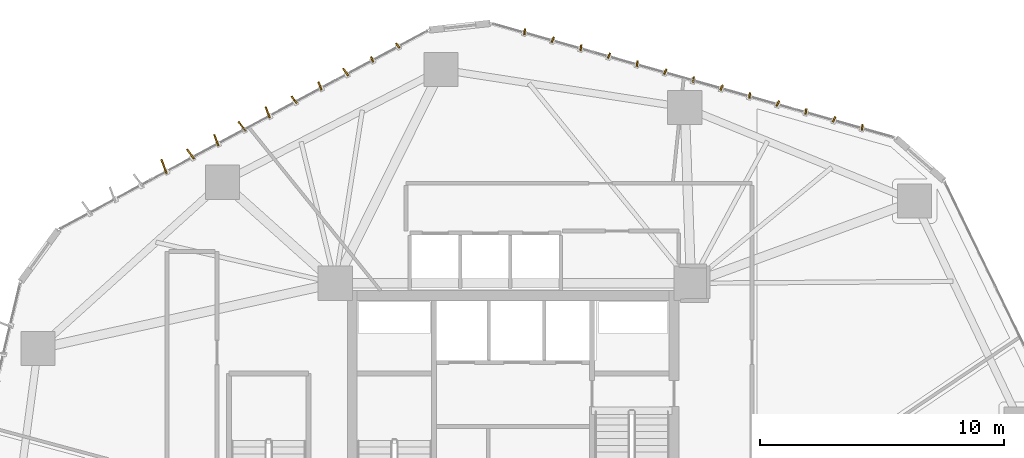
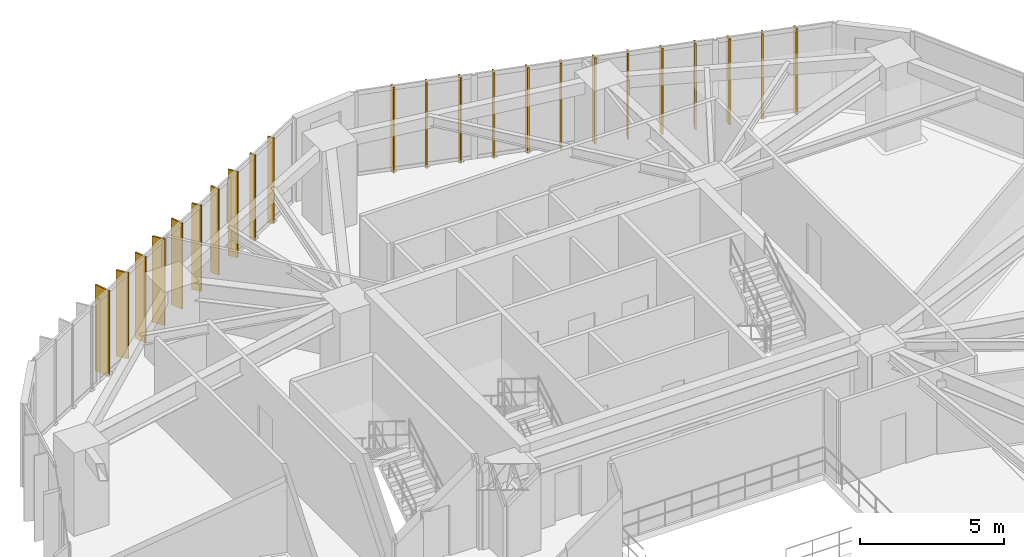
# One storey, part 24 of 24: 23 shading devices.
"""IFC4 building model written with IfcOpenShell, lengths in metres."""

import ifcopenshell
import ifcopenshell.guid

model = None  # the IFC model being written
_history = None  # IfcOwnerHistory: only IFC2X3 demands one
_inside = {}  # id of a spatial element -> (the spatial element, [elements in it])
_under = {}  # id of a project, library or spatial element -> (it, [spatial elements below it])
_declared = {}  # id of a project -> (the project, [libraries it declares])
_typed = {}  # id of a type object -> (the type object, [elements of that type])
_made_of = {}  # id of a material, layer set ... -> (it, [elements and type objects made of it])


def new_model(schema):
    """Start an empty IFC model of exactly this schema.

    Asked for "IFC4X3", IfcOpenShell would pick the latest addendum, in which some entities
    have other attributes; the version numbers below select the first issue.
    IFC2X3 requires an IfcOwnerHistory on every rooted entity: one is made here for all.
    """
    global model, _history
    if schema == "IFC4X3":
        model = ifcopenshell.file(schema_version=(4, 3, 0, 0))
    else:
        model = ifcopenshell.file(schema=schema)
    _inside.clear()
    _under.clear()
    _declared.clear()
    _typed.clear()
    _made_of.clear()
    _history = None
    if model.schema == "IFC2X3":
        org = make("IfcOrganization", Name="unknown")
        user = make(
            "IfcPersonAndOrganization",
            ThePerson=make("IfcPerson", FamilyName="unknown"),
            TheOrganization=org,
        )
        app = make(
            "IfcApplication",
            ApplicationDeveloper=org,
            Version="unknown",
            ApplicationFullName="unknown",
            ApplicationIdentifier="unknown",
        )
        _history = make(
            "IfcOwnerHistory",
            OwningUser=user,
            OwningApplication=app,
            ChangeAction="ADDED",
            CreationDate=0,
        )
    return model


def make(cls, **values):
    """One entity of the class cls with the attributes given. An attribute that is None is left unset."""
    return model.create_entity(
        cls, **{name: value for name, value in values.items() if value is not None}
    )


def rooted(cls, **values):
    """An entity with a GlobalId (a new one), such as an element, a storey or a relation."""
    return make(cls, GlobalId=ifcopenshell.guid.new(), OwnerHistory=_history, **values)


def si_unit(unit_type, name, prefix=None):
    """IfcSIUnit, for example si_unit("LENGTHUNIT", "METRE", prefix="MILLI")."""
    return make("IfcSIUnit", UnitType=unit_type, Prefix=prefix, Name=name)


def assignment(units):
    """IfcUnitAssignment: the units of a project."""
    return None if units is None else make("IfcUnitAssignment", Units=units)


def point(xyz):
    """IfcCartesianPoint."""
    return None if xyz is None else make("IfcCartesianPoint", Coordinates=xyz)


def direction(xyz):
    """IfcDirection."""
    return None if xyz is None else make("IfcDirection", DirectionRatios=xyz)


def frame(location, z_axis=None, x_axis=None):
    """IfcAxis2Placement3D, a coordinate frame: its origin and axes. An axis left out is left unset."""
    return make(
        "IfcAxis2Placement3D",
        Location=point(location),
        Axis=direction(z_axis),
        RefDirection=direction(x_axis),
    )


def frame_2d(location, x_axis=None):
    """IfcAxis2Placement2D, a coordinate frame in the plane: its origin and x axis."""
    return make(
        "IfcAxis2Placement2D", Location=point(location), RefDirection=direction(x_axis)
    )


def origin():
    """The frame at (0, 0, 0) with its axes left unset."""
    return frame((0.0, 0.0, 0.0))


def origin_2d():
    """The frame at (0, 0) in the plane with its x axis left unset."""
    return frame_2d((0.0, 0.0))


def place(relative_to, where):
    """IfcLocalPlacement: puts the frame where relative to a parent placement (None: the world)."""
    return make(
        "IfcLocalPlacement", PlacementRelTo=relative_to, RelativePlacement=where
    )


def context(
    kind, dimensions, precision=None, world=None, true_north=None, identifier=None
):
    """IfcGeometricRepresentationContext, for example the 3D "Model" context."""
    return make(
        "IfcGeometricRepresentationContext",
        ContextIdentifier=identifier,
        ContextType=kind,
        CoordinateSpaceDimension=dimensions,
        Precision=precision,
        WorldCoordinateSystem=world,
        TrueNorth=true_north,
    )


def subcontext(parent, identifier, kind, view, scale=None):
    """IfcGeometricRepresentationSubContext, for example "Body" below "Model"."""
    return make(
        "IfcGeometricRepresentationSubContext",
        ContextIdentifier=identifier,
        ContextType=kind,
        ParentContext=parent,
        TargetScale=scale,
        TargetView=view,
    )


def project(units=None, contexts=None):
    """IfcProject with its units and contexts."""
    return rooted(
        "IfcProject",
        Name="project",
        RepresentationContexts=contexts,
        UnitsInContext=assignment(units),
    )


def spatial(cls, under=None, at=None, **own):
    """A site, building, storey or space (cls), placed at a placement, below another one or the project."""
    s = rooted(cls, ObjectPlacement=at, **own)
    if under is not None:
        _under.setdefault(under.id(), (under, []))[1].append(s)
    return s


def profile(cls, at=None, kind="AREA", **sizes):
    """A parametric profile (cls). Its sizes go by their IFC names, for example OverallWidth=200.0."""
    return make(cls, ProfileType=kind, Position=at, **sizes)


def rectangle(**sizes):
    """IfcRectangleProfileDef."""
    return profile("IfcRectangleProfileDef", **sizes)


def extrude(swept, where, along, depth):
    """IfcExtrudedAreaSolid: the profile swept, set in the frame where, extruded along a direction by depth."""
    return make(
        "IfcExtrudedAreaSolid",
        SweptArea=swept,
        Position=where,
        ExtrudedDirection=direction(along),
        Depth=depth,
    )


def shape(context_of_items, identifier, shape_type, items):
    """IfcShapeRepresentation: the items that make up one representation, for example the "Body"."""
    return make(
        "IfcShapeRepresentation",
        ContextOfItems=context_of_items,
        RepresentationIdentifier=identifier,
        RepresentationType=shape_type,
        Items=items,
    )


def source(mapping_origin, context_of_items, identifier, shape_type, items):
    """IfcRepresentationMap: a shape defined once, which mapped items show again and again."""
    return make(
        "IfcRepresentationMap",
        MappingOrigin=mapping_origin,
        MappedRepresentation=shape(context_of_items, identifier, shape_type, items),
    )


def transform(
    local_origin,
    x_axis=None,
    y_axis=None,
    z_axis=None,
    scale=None,
    scale2=None,
    scale3=None,
    uniform=True,
):
    """IfcCartesianTransformationOperator3D, or its non-uniform kind. x_axis, y_axis, z_axis: its Axis1, 2, 3."""
    if uniform:
        return make(
            "IfcCartesianTransformationOperator3D",
            Axis1=direction(x_axis),
            Axis2=direction(y_axis),
            LocalOrigin=point(local_origin),
            Scale=scale,
            Axis3=direction(z_axis),
        )
    return make(
        "IfcCartesianTransformationOperator3DnonUniform",
        Axis1=direction(x_axis),
        Axis2=direction(y_axis),
        LocalOrigin=point(local_origin),
        Scale=scale,
        Axis3=direction(z_axis),
        Scale2=scale2,
        Scale3=scale3,
    )


def mapped(mapping_source, mapping_target):
    """IfcMappedItem: shows the shape of a source again, moved by a transform."""
    return make(
        "IfcMappedItem", MappingSource=mapping_source, MappingTarget=mapping_target
    )


def material(Name=None, Category=None):
    """IfcMaterial."""
    return make("IfcMaterial", Name=Name, Category=Category)


def layer(
    of_material, thickness, ventilated=None, Name=None, Category=None, Priority=None
):
    """IfcMaterialLayer: one layer of a wall or slab, of a material (None: an air gap)."""
    return make(
        "IfcMaterialLayer",
        Material=of_material,
        LayerThickness=thickness,
        IsVentilated=ventilated,
        Name=Name,
        Category=Category,
        Priority=Priority,
    )


def layer_set(layers, Name=None):
    """IfcMaterialLayerSet."""
    return make("IfcMaterialLayerSet", MaterialLayers=layers, LayerSetName=Name)


def made_of(thing, what):
    """Note that an element or type object is made of a material, layer set ...; save() writes the relation."""
    if what is not None:
        _made_of.setdefault(what.id(), (what, []))[1].append(thing)
    return thing


def type_object(cls, material=None, **own):
    """A type object (cls), such as IfcWallType, which elements share."""
    return made_of(rooted(cls, **own), material)


def type_shapes(of_type, sources):
    """Give a type object the sources (RepresentationMaps) that its elements show as mapped items."""
    of_type.RepresentationMaps = sources


def element(
    cls,
    number,
    at=None,
    inside=None,
    cuts=None,
    type_object=None,
    material=None,
    context=None,
    identifier="Body",
    shape_type=None,
    held_by="IfcProductDefinitionShape",
    body=None,
    shapes=None,
    **own,
):
    """One element of the class cls, such as IfcWall. Its Tag is "e" and its number.

    at: its placement. inside: the storey or other place that contains it. cuts: it is an
    opening in that element (IfcRelVoidsElement). A single representation is given by context,
    identifier, shape_type and body (its items); several are given by shapes. held_by: the class
    of the entity that holds the representations. save() writes the other relations.
    """
    e = rooted(cls, Tag="e%d" % number, ObjectPlacement=at, **own)
    if body is not None:
        shapes = [shape(context, identifier, shape_type, body)]
    if shapes is not None:
        e.Representation = make(held_by, Representations=shapes)
    if inside is not None:
        _inside.setdefault(inside.id(), (inside, []))[1].append(e)
    if cuts is not None:
        rooted(
            "IfcRelVoidsElement", RelatingBuildingElement=cuts, RelatedOpeningElement=e
        )
    if type_object is not None:
        _typed.setdefault(type_object.id(), (type_object, []))[1].append(e)
    return made_of(e, material)


def aggregate(whole, parts):
    """IfcRelAggregates: a whole, such as a stair, and the parts it consists of."""
    return rooted("IfcRelAggregates", RelatingObject=whole, RelatedObjects=parts)


def save(model, path):
    """Write the relations noted so far, then the file.

    IfcRelAggregates (storeys below a building ...), IfcRelContainedInSpatialStructure (elements
    in a storey), IfcRelDefinesByType, IfcRelAssociatesMaterial and IfcRelDeclares: one each for
    every whole, place, type object, material and project.
    """
    for whole, parts in _under.values():
        aggregate(whole, parts)
    for where, things in _inside.values():
        rooted(
            "IfcRelContainedInSpatialStructure",
            RelatedElements=things,
            RelatingStructure=where,
        )
    for kind, things in _typed.values():
        rooted("IfcRelDefinesByType", RelatedObjects=things, RelatingType=kind)
    for what, things in _made_of.values():
        rooted("IfcRelAssociatesMaterial", RelatedObjects=things, RelatingMaterial=what)
    for by, libraries in _declared.values():
        rooted("IfcRelDeclares", RelatingContext=by, RelatedDefinitions=libraries)
    model.write(path)


model = new_model("IFC4")

# Units and contexts
model_context = context("Model", 3, precision=1e-05, world=origin(), true_north=direction((0.0, 1.0)))
body_context = subcontext(model_context, "Body", "Model", "MODEL_VIEW")
ifc_project = project(units=[si_unit("LENGTHUNIT", "METRE"), si_unit("AREAUNIT", "SQUARE_METRE"), si_unit("VOLUMEUNIT", "CUBIC_METRE"), si_unit("PLANEANGLEUNIT", "RADIAN"), si_unit("MASSUNIT", "GRAM", prefix="KILO")], contexts=[model_context])

# Site, building, storey
site_placement = place(None, origin())
site = spatial("IfcSite", under=ifc_project, at=site_placement, CompositionType="ELEMENT")
building_placement = place(site_placement, origin())
building = spatial("IfcBuilding", under=site, at=building_placement, Name="Talar Marvaseh", CompositionType="ELEMENT")
storey_placement = place(building_placement, frame((0.0, 0.0, 43.0)))
storey = spatial("IfcBuildingStorey", under=building, at=storey_placement, Name="L10", CompositionType="ELEMENT", Elevation=43.0)

# Shading devices
ifc_material = material(Name="Anodised Champagne Bronze Aluminium", Category="aluminium")
ifc_layer_1 = layer(ifc_material, 0.06494140625)
ifc_layer_set_1 = layer_set([ifc_layer_1], Name="Anodised Champagne Bronze Aluminium")
shading_device_type_1 = type_object("IfcShadingDeviceType", Name="Sawtooth Champagne Bronze Vertical Fin 240", PredefinedType="USERDEFINED", material=ifc_layer_set_1)
shared_shape_1 = source(origin(), body_context, "Body", "SweptSolid", [
    extrude(rectangle(XDim=0.239990234375, YDim=0.06494140625, at=origin_2d()), origin(), (0.0, 0.0, 1.0), 3.639892578125),
])
type_shapes(shading_device_type_1, [shared_shape_1])
for number, where, z_axis, x_axis, name in (
    (1, (20.213623046875, 46.08203125, -0.1201171875), (0.0, 0.0, 1.0), (-0.347263015429, 0.937767774087, 0.0), "L10 Sawtooth Vertical Solar Fin"),
    (2, (21.27001953125, 46.6513671875, -0.1201171875), (0.0, 0.0, 1.0), (-0.592294464767, 0.805721581569, 0.0), "L10 Sawtooth Vertical Solar Fin"),
    (3, (26.472900390625, 47.220947265625, -0.1201171875), (0.0, 0.0, 1.0), (0.136061400396, 0.990700406441, 0.0), "L10 Sawtooth Vertical Solar Fin"),
    (4, (27.627197265625, 46.893798828125, -0.1201171875), (0.0, 0.0, 1.0), (0.403864652935, 0.914818748228, 0.0), "L10 Sawtooth Vertical Solar Fin"),
    (5, (28.781982421875, 46.56689453125, -0.1201171875), (0.0, 0.0, 1.0), (0.136061400396, 0.990700406441, 0.0), "L10 Sawtooth Vertical Solar Fin"),
    (6, (29.936279296875, 46.23974609375, -0.1201171875), (0.0, 0.0, 1.0), (0.403864652935, 0.914818748228, 0.0), "L10 Sawtooth Vertical Solar Fin"),
    (7, (31.091064453125, 45.91259765625, -0.1201171875), (0.0, 0.0, 1.0), (0.136061400396, 0.990700406441, 0.0), "L10 Sawtooth Vertical Solar Fin"),
    (8, (32.24560546875, 45.585693359375, -0.1201171875), (0.0, 0.0, 1.0), (0.403864652935, 0.914818748228, 0.0), "L10 Sawtooth Vertical Solar Fin"),
    (9, (33.400146484375, 45.258544921875, -0.1201171875), (0.0, 0.0, 1.0), (0.136061400396, 0.990700406441, 0.0), "L10 Sawtooth Vertical Solar Fin"),
    (10, (34.5546875, 44.931396484375, -0.1201171875), (0.0, 0.0, 1.0), (0.403864652935, 0.914818748228, 0.0), "L10 Sawtooth Vertical Solar Fin"),
    (11, (35.709228515625, 44.604248046875, -0.1201171875), (0.0, 0.0, 1.0), (0.136061400396, 0.990700406441, 0.0), "L10 Sawtooth Vertical Solar Fin"),
    (12, (36.86376953125, 44.277099609375, -0.1201171875), (0.0, 0.0, 1.0), (0.403864652935, 0.914818748228, 0.0), "L10 Sawtooth Vertical Solar Fin"),
    (13, (38.018310546875, 43.9501953125, -0.1201171875), (0.0, 0.0, 1.0), (0.136061400396, 0.990700406441, 0.0), "L10 Sawtooth Vertical Solar Fin"),
    (14, (39.1728515625, 43.623046875, -0.1201171875), (0.0, 0.0, 1.0), (0.403864652935, 0.914818748228, 0.0), "L10 Sawtooth Vertical Solar Fin"),
    (15, (40.327392578125, 43.2958984375, -0.1201171875), (0.0, 0.0, 1.0), (0.136061400396, 0.990700406441, 0.0), "L10 Sawtooth Vertical Solar Fin"),
):
    element("IfcShadingDevice", number, at=place(storey_placement, frame(where, z_axis=z_axis, x_axis=x_axis)), inside=storey, type_object=shading_device_type_1, Name=name, ObjectType="FIN", PredefinedType="USERDEFINED", context=body_context, shape_type="MappedRepresentation", body=[
        mapped(shared_shape_1, transform((0.0, 0.0, 0.0), x_axis=(1.0, 0.0, 0.0), y_axis=(0.0, 1.0, 0.0), z_axis=(0.0, 0.0, 1.0), scale=1.0)),
    ])
ifc_layer_2 = layer(ifc_material, 0.06494140625)
ifc_layer_set_2 = layer_set([ifc_layer_2], Name="Anodised Champagne Bronze Aluminium")
shading_device_type_2 = type_object("IfcShadingDeviceType", Name="Sawtooth Champagne Bronze Vertical Fin 360", PredefinedType="USERDEFINED", material=ifc_layer_set_2)
shared_shape_2 = source(origin(), body_context, "Body", "SweptSolid", [
    extrude(rectangle(XDim=0.360107421875, YDim=0.06494140625, at=origin_2d()), origin(), (0.0, 0.0, 1.0), 3.639892578125),
])
type_shapes(shading_device_type_2, [shared_shape_2])
for number, where, z_axis, x_axis, name in (
    (16, (17.01611328125, 44.427001953125, -0.1201171875), (0.0, 0.0, 1.0), (-0.592294464767, 0.805721581569, 0.0), "L10 Sawtooth Vertical Solar Fin"),
    (17, (18.072509765625, 44.996337890625, -0.1201171875), (0.0, 0.0, 1.0), (-0.347263015429, 0.937767774087, 0.0), "L10 Sawtooth Vertical Solar Fin"),
    (18, (19.12890625, 45.565673828125, -0.1201171875), (0.0, 0.0, 1.0), (-0.592294464767, 0.805721581569, 0.0), "L10 Sawtooth Vertical Solar Fin"),
):
    element("IfcShadingDevice", number, at=place(storey_placement, frame(where, z_axis=z_axis, x_axis=x_axis)), inside=storey, type_object=shading_device_type_2, Name=name, ObjectType="FIN", PredefinedType="USERDEFINED", context=body_context, shape_type="MappedRepresentation", body=[
        mapped(shared_shape_2, transform((0.0, 0.0, 0.0), x_axis=(1.0, 0.0, 0.0), y_axis=(0.0, 1.0, 0.0), z_axis=(0.0, 0.0, 1.0), scale=1.0)),
    ])
ifc_layer_3 = layer(ifc_material, 0.06494140625)
ifc_layer_set_3 = layer_set([ifc_layer_3], Name="Anodised Champagne Bronze Aluminium")
shading_device_type_3 = type_object("IfcShadingDeviceType", Name="Sawtooth Champagne Bronze Vertical Fin 480", PredefinedType="USERDEFINED", material=ifc_layer_set_3)
shared_shape_3 = source(origin(), body_context, "Body", "SweptSolid", [
    extrude(rectangle(XDim=0.47998046875, YDim=0.06494140625, at=origin_2d()), origin(), (0.0, 0.0, 1.0), 3.639892578125),
])
type_shapes(shading_device_type_3, [shared_shape_3])
for number, where, z_axis, x_axis, name in (
    (19, (12.761962890625, 42.202880859375, -0.1201171875), (0.0, 0.0, 1.0), (-0.592294464767, 0.805721581569, 0.0), "L10 Sawtooth Vertical Solar Fin"),
    (20, (13.818359375, 42.772216796875, -0.1201171875), (0.0, 0.0, 1.0), (-0.347263015429, 0.937767774087, 0.0), "L10 Sawtooth Vertical Solar Fin"),
    (21, (14.874755859375, 43.341552734375, -0.1201171875), (0.0, 0.0, 1.0), (-0.592294464767, 0.805721581569, 0.0), "L10 Sawtooth Vertical Solar Fin"),
    (22, (15.93115234375, 43.91064453125, -0.1201171875), (0.0, 0.0, 1.0), (-0.347263015429, 0.937767774087, 0.0), "L10 Sawtooth Vertical Solar Fin"),
):
    element("IfcShadingDevice", number, at=place(storey_placement, frame(where, z_axis=z_axis, x_axis=x_axis)), inside=storey, type_object=shading_device_type_3, Name=name, ObjectType="FIN", PredefinedType="USERDEFINED", context=body_context, shape_type="MappedRepresentation", body=[
        mapped(shared_shape_3, transform((0.0, 0.0, 0.0), x_axis=(1.0, 0.0, 0.0), y_axis=(0.0, 1.0, 0.0), z_axis=(0.0, 0.0, 1.0), scale=1.0)),
    ])
ifc_layer_4 = layer(ifc_material, 0.06494140625)
ifc_layer_set_4 = layer_set([ifc_layer_4], Name="Anodised Champagne Bronze Aluminium")
shading_device_type_4 = type_object("IfcShadingDeviceType", Name="Sawtooth Champagne Bronze Vertical Fin 620", PredefinedType="USERDEFINED", material=ifc_layer_set_4)
shared_shape_4 = source(origin(), body_context, "Body", "SweptSolid", [
    extrude(rectangle(XDim=0.6201171875, YDim=0.06494140625, at=origin_2d()), origin(), (0.0, 0.0, 1.0), 3.639892578125),
])
type_shapes(shading_device_type_4, [shared_shape_4])
shading_device_placement = place(storey_placement, frame((11.67236328125, 41.6953125, -0.1201171875), z_axis=(0.0, 0.0, 1.0), x_axis=(-0.347263015429, 0.937767774087, 0.0)))
element("IfcShadingDevice", 23, at=shading_device_placement, inside=storey, type_object=shading_device_type_4, Name="L10 Sawtooth Vertical Solar Fin", ObjectType="FIN", PredefinedType="USERDEFINED", context=body_context, shape_type="MappedRepresentation", body=[
    mapped(shared_shape_4, transform((0.0, 0.0, 0.0), x_axis=(1.0, 0.0, 0.0), y_axis=(0.0, 1.0, 0.0), z_axis=(0.0, 0.0, 1.0), scale=1.0)),
])

save(model, "model.ifc")
